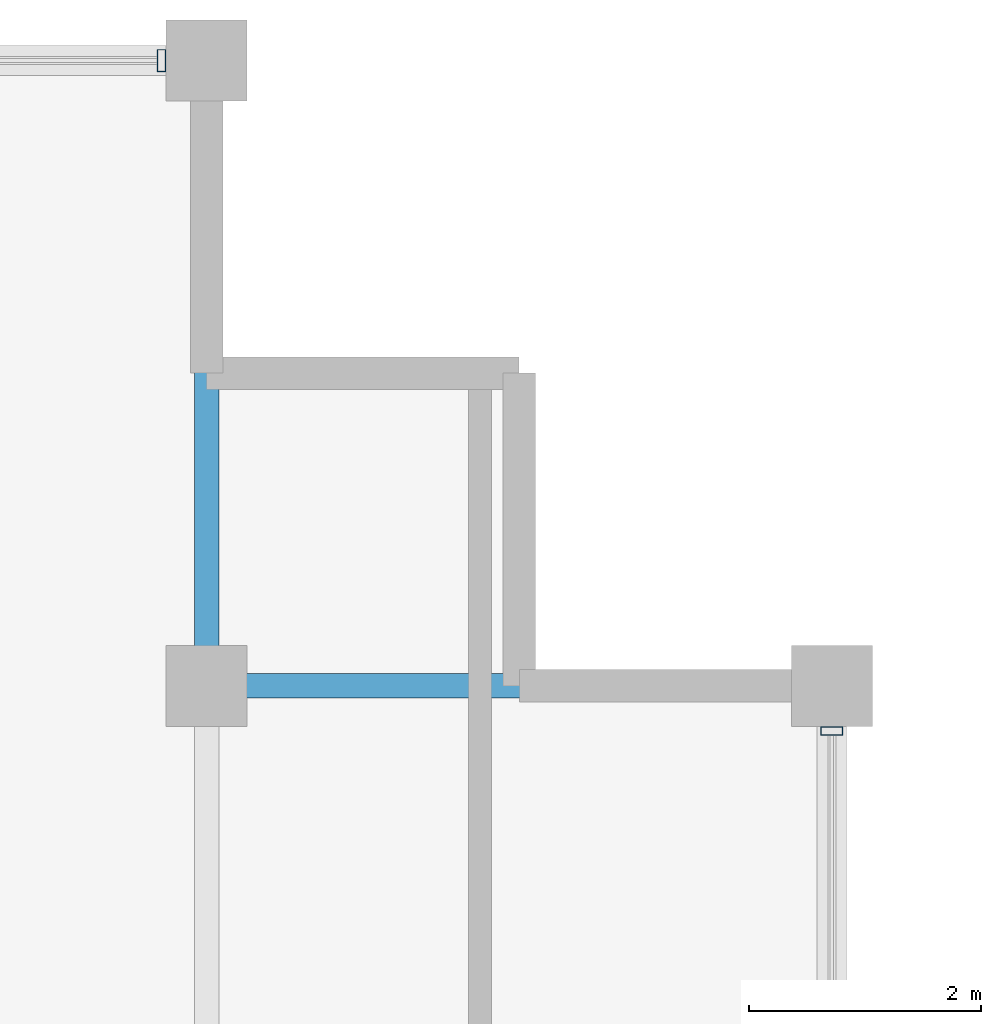
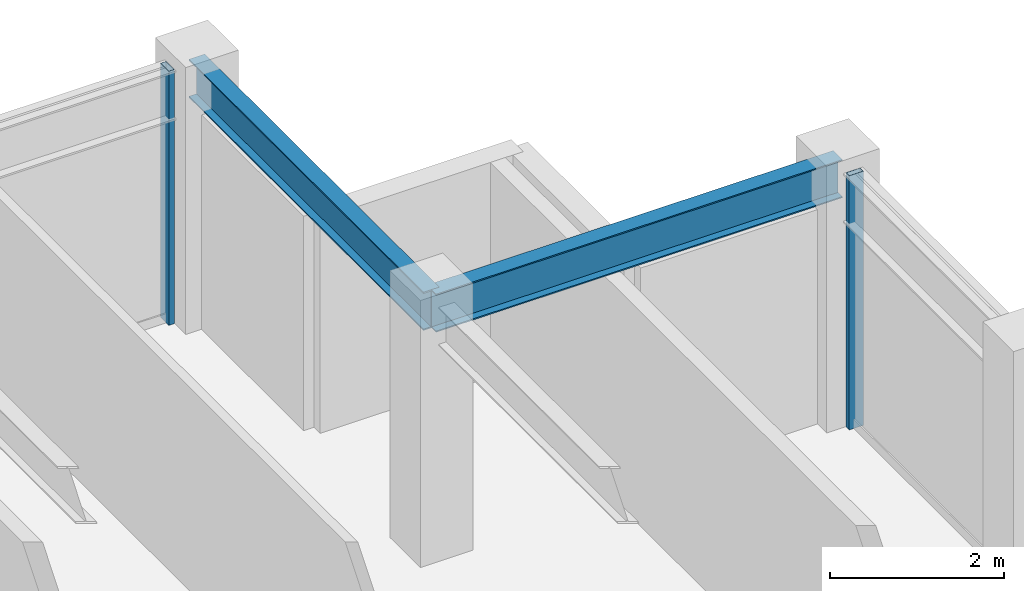
# One storey, part 21 of 31: 2 beams, 2 members, 2 elements without a shape of their own.
"""IFC4 building model written with IfcOpenShell, lengths in metres."""

from ifc_helpers import new_model, si_unit, direction, frame, origin, origin_2d, place, context, subcontext, project, spatial, hollow_rectangle, i_section, extrude, material, layer, layer_set, material_profile, profile_set, type_object, element, aggregate, save


model = new_model("IFC4")

# Units and contexts
model_context = context("Model", 3, precision=1e-05, world=origin(), true_north=direction((0.0, 1.0)))
body_context = subcontext(model_context, "Body", "Model", "MODEL_VIEW")
ifc_project = project(units=[si_unit("LENGTHUNIT", "METRE"), si_unit("AREAUNIT", "SQUARE_METRE"), si_unit("VOLUMEUNIT", "CUBIC_METRE"), si_unit("PLANEANGLEUNIT", "RADIAN"), si_unit("MASSUNIT", "GRAM", prefix="KILO")], contexts=[model_context])

# Site, building, storey
site_placement = place(None, origin())
site = spatial("IfcSite", under=ifc_project, at=site_placement, CompositionType="ELEMENT")
building_placement = place(site_placement, origin())
building = spatial("IfcBuilding", under=site, at=building_placement, Name="Surkhivell Harbour Commons", CompositionType="ELEMENT")
storey_placement = place(building_placement, frame((0.0, 0.0, 322.5)))
storey = spatial("IfcBuildingStorey", under=building, at=storey_placement, Name="L84", CompositionType="ELEMENT", Elevation=322.5)

# Beams
ifc_material_1 = material(Name="Steel S355", Category="steel")
ifc_material_profile_1 = material_profile(ifc_material_1, i_section(OverallWidth=0.2099609375, OverallDepth=0.537109375, WebThickness=0.0107421875, FlangeThickness=0.017333984375, at=origin_2d()), Name="UB533x210x101")
ifc_profile_set_1 = profile_set([ifc_material_profile_1], Name="Steel S355")
beam_type = type_object("IfcBeamType", Name="BM-GRD-533B", PredefinedType="BEAM", material=ifc_profile_set_1)
for number, where, z_axis, x_axis, name in (
    (1, (10.800048828125, 20.5, 3.301513671875), (0.0, 1.0, 0.0), (-1.0, 0.0, 0.0), "L84 Floor Girder (10.8,20.5)"),
    (2, (10.800048828125, 20.5, 3.301513671875), (1.0, 0.0, 0.0), (0.0, 1.0, 0.0), "L84 Floor Girder (10.8,20.5)"),
):
    element("IfcBeam", number, at=place(storey_placement, frame(where, z_axis=z_axis, x_axis=x_axis)), inside=storey, type_object=beam_type, Name=name, PredefinedType="BEAM", context=body_context, shape_type="SweptSolid", body=[
        extrude(i_section(OverallWidth=0.2099609375, OverallDepth=0.537109375, WebThickness=0.0107421875, FlangeThickness=0.017333984375, at=origin_2d()), origin(), (0.0, 0.0, 1.0), 5.39990234375),
    ])

# Curtain wall, member
ifc_material_2 = material(Name="Anodised pale-metal aluminium and insulated glazing", Category="aluminium")
ifc_layer = layer(ifc_material_2, 0.175048828125)
ifc_layer_set = layer_set([ifc_layer], Name="Anodised pale-metal aluminium and insulated glazing")
curtain_wall_type = type_object("IfcCurtainWallType", Name="CW-SYS-Z4", PredefinedType="NOTDEFINED", material=ifc_layer_set)
curtain_wall_1_placement = place(storey_placement, origin())
curtain_wall_1 = element("IfcCurtainWall", 3, at=curtain_wall_1_placement, inside=storey, type_object=curtain_wall_type, Name="L84 Curtain Wall CW-L84-E02R1", PredefinedType="NOTDEFINED")
ifc_material_3 = material(Name="Anodised pale-metal aluminium alloy 6063-T6", Category="aluminium")
ifc_material_profile_2 = material_profile(ifc_material_3, hollow_rectangle(XDim=0.074951171875, YDim=0.18994140625, WallThickness=0.00390625, at=origin_2d()), Name="ALU-MULL-75x190")
ifc_profile_set_2 = profile_set([ifc_material_profile_2], Name="Anodised pale-metal aluminium alloy 6063-T6")
member_type = type_object("IfcMemberType", Name="CWM-190", PredefinedType="MULLION", material=ifc_profile_set_2)
member_1_placement = place(storey_placement, frame((16.199951171875, 20.110595703125, 0.0), z_axis=(0.0, 0.0, 1.0), x_axis=(0.0, 1.0, 0.0)))
member_1 = element("IfcMember", 4, at=member_1_placement, type_object=member_type, Name="CW-Z4 mullion 5", PredefinedType="MULLION", context=body_context, shape_type="SweptSolid", body=[
    extrude(hollow_rectangle(XDim=0.074951171875, YDim=0.18994140625, WallThickness=0.00390625, at=origin_2d()), origin(), (0.0, 0.0, 1.0), 3.570068359375),
])
aggregate(curtain_wall_1, [member_1])

curtain_wall_2_placement = place(storey_placement, origin())
curtain_wall_2 = element("IfcCurtainWall", 5, at=curtain_wall_2_placement, inside=storey, type_object=curtain_wall_type, Name="L84 Curtain Wall CW-L84-E07S1", PredefinedType="NOTDEFINED")
member_2_placement = place(storey_placement, frame((10.410400390625, 25.89990234375, 0.0), z_axis=(0.0, 0.0, 1.0), x_axis=(-1.0, 0.0, 0.0)))
member_2 = element("IfcMember", 6, at=member_2_placement, type_object=member_type, Name="CW-Z4 mullion 1", PredefinedType="MULLION", context=body_context, shape_type="SweptSolid", body=[
    extrude(hollow_rectangle(XDim=0.074951171875, YDim=0.18994140625, WallThickness=0.00390625, at=origin_2d()), origin(), (0.0, 0.0, 1.0), 3.570068359375),
])
aggregate(curtain_wall_2, [member_2])

save(model, "model.ifc")
